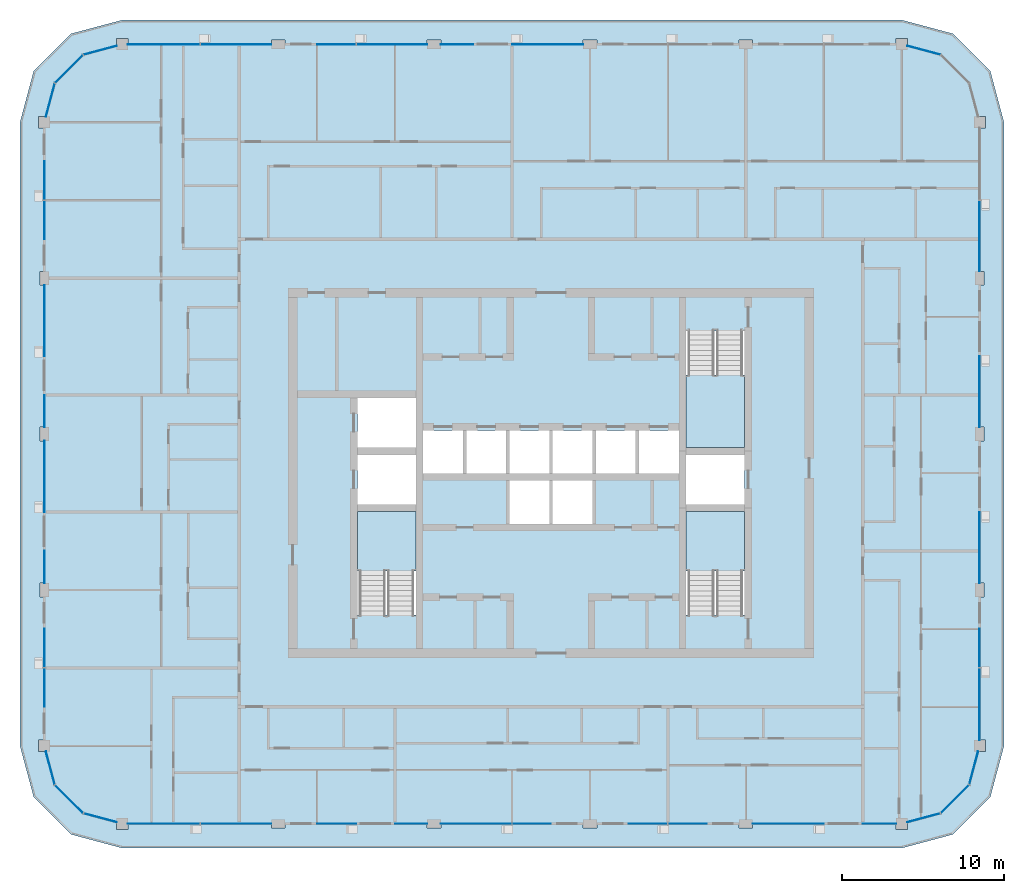
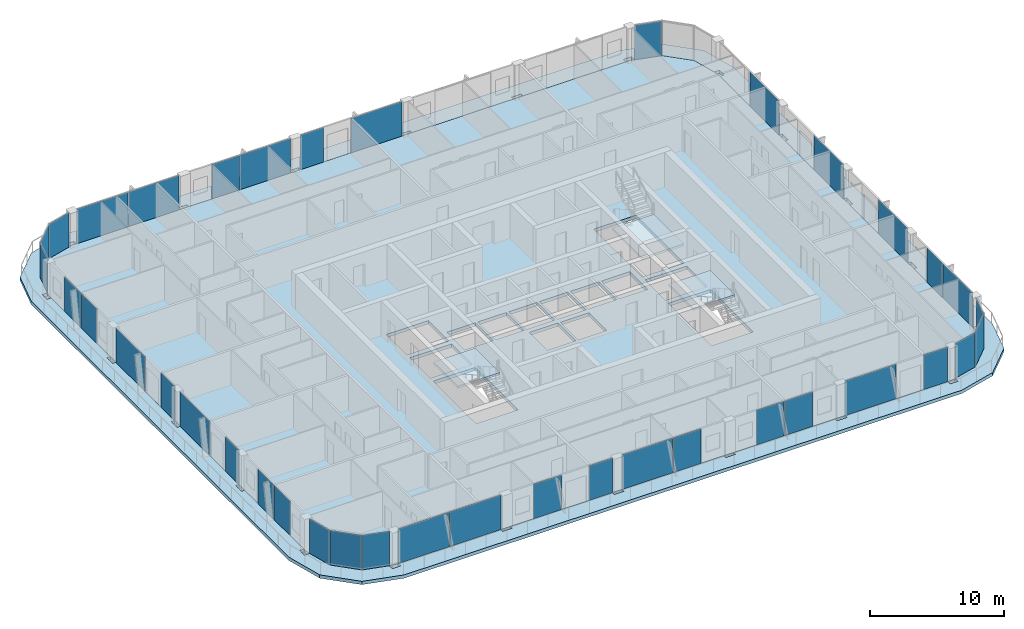
# One storey, part 7 of 22: 39 plates, 5 slabs, 23 elements without a shape of their own.
"""IFC4 building model written with IfcOpenShell, lengths in metres."""

from ifc_helpers import new_model, si_unit, direction, frame, origin, origin_2d, place, context, subcontext, project, spatial, polyline, rectangle, outline, extrude, material, layer, layer_set, type_object, element, aggregate, save


model = new_model("IFC4")

# Units and contexts
model_context = context("Model", 3, precision=1e-05, world=origin(), true_north=direction((0.0, 1.0)))
body_context = subcontext(model_context, "Body", "Model", "MODEL_VIEW")
ifc_project = project(units=[si_unit("LENGTHUNIT", "METRE"), si_unit("AREAUNIT", "SQUARE_METRE"), si_unit("VOLUMEUNIT", "CUBIC_METRE"), si_unit("PLANEANGLEUNIT", "RADIAN"), si_unit("MASSUNIT", "GRAM", prefix="KILO")], contexts=[model_context])

# Site, building, storey
site_placement = place(None, origin())
site = spatial("IfcSite", under=ifc_project, at=site_placement, CompositionType="ELEMENT")
building_placement = place(site_placement, origin())
building = spatial("IfcBuilding", under=site, at=building_placement, Name="Madar Terraces", CompositionType="ELEMENT")
storey_placement = place(building_placement, frame((0.0, 0.0, 249.199951171875)))
storey = spatial("IfcBuildingStorey", under=building, at=storey_placement, Name="L65", CompositionType="ELEMENT", Elevation=249.199951171875)

# Slabs
ifc_material_1 = material(Name="Concrete C50/60", Category="concrete")
ifc_layer_1 = layer(ifc_material_1, 0.300048828125)
ifc_layer_set_1 = layer_set([ifc_layer_1], Name="Balcony band 300")
slab_type_1 = type_object("IfcSlabType", Name="Balcony band 300", PredefinedType="FLOOR", material=ifc_layer_set_1)
slab_1_placement = place(storey_placement, frame((0.0, 0.0, -0.300048828125)))
element("IfcSlab", 1, at=slab_1_placement, inside=storey, type_object=slab_type_1, Name="Balcony band", PredefinedType="FLOOR", context=body_context, shape_type="SweptSolid", body=[
    extrude(outline(polyline([(4.800048828125, 3.300048828125), (1.64990234375, 4.14404296875), (-0.656005859375, 6.449951171875), (-1.5, 9.60009765625), (-1.5, 48.0), (-0.656005859375, 51.14990234375), (1.64990234375, 53.4560546875), (4.800048828125, 54.300048828125), (52.800048828125, 54.300048828125), (55.949951171875, 53.4560546875), (58.256103515625, 51.14990234375), (59.10009765625, 48.0), (59.10009765625, 9.60009765625), (58.256103515625, 6.449951171875), (55.949951171875, 4.14404296875), (52.800048828125, 3.300048828125), (4.800048828125, 3.300048828125)]), holes=[polyline([(5.14990234375, 4.449951171875), (5.14990234375, 4.800048828125), (13.97509765625, 4.800048828125), (13.97509765625, 4.52490234375), (14.824951171875, 4.52490234375), (14.824951171875, 4.800048828125), (23.574951171875, 4.800048828125), (23.574951171875, 4.52490234375), (24.425048828125, 4.52490234375), (24.425048828125, 4.800048828125), (33.175048828125, 4.800048828125), (33.175048828125, 4.52490234375), (34.02490234375, 4.52490234375), (34.02490234375, 4.800048828125), (42.77490234375, 4.800048828125), (42.77490234375, 4.52490234375), (43.625, 4.52490234375), (43.625, 4.800048828125), (52.449951171875, 4.800048828125), (52.449951171875, 4.449951171875), (53.14990234375, 4.449951171875), (53.14990234375, 4.893798828125), (55.199951171875, 5.443115234375), (56.956787109375, 7.199951171875), (57.506103515625, 9.25), (57.949951171875, 9.25), (57.949951171875, 9.949951171875), (57.60009765625, 9.949951171875), (57.60009765625, 18.77490234375), (57.875, 18.77490234375), (57.875, 19.625), (57.60009765625, 19.625), (57.60009765625, 28.375), (57.875, 28.375), (57.875, 29.22509765625), (57.60009765625, 29.22509765625), (57.60009765625, 37.97509765625), (57.875, 37.97509765625), (57.875, 38.824951171875), (57.60009765625, 38.824951171875), (57.60009765625, 47.64990234375), (57.949951171875, 47.64990234375), (57.949951171875, 48.35009765625), (57.506103515625, 48.35009765625), (56.956787109375, 50.39990234375), (55.199951171875, 52.156982421875), (53.14990234375, 52.706298828125), (53.14990234375, 53.14990234375), (52.449951171875, 53.14990234375), (52.449951171875, 52.800048828125), (43.625, 52.800048828125), (43.625, 53.074951171875), (42.77490234375, 53.074951171875), (42.77490234375, 52.800048828125), (34.02490234375, 52.800048828125), (34.02490234375, 53.074951171875), (33.175048828125, 53.074951171875), (33.175048828125, 52.800048828125), (24.425048828125, 52.800048828125), (24.425048828125, 53.074951171875), (23.574951171875, 53.074951171875), (23.574951171875, 52.800048828125), (14.824951171875, 52.800048828125), (14.824951171875, 53.074951171875), (13.97509765625, 53.074951171875), (13.97509765625, 52.800048828125), (5.14990234375, 52.800048828125), (5.14990234375, 53.14990234375), (4.449951171875, 53.14990234375), (4.449951171875, 52.706298828125), (2.39990234375, 52.156982421875), (0.64306640625, 50.39990234375), (0.09375, 48.35009765625), (-0.35009765625, 48.35009765625), (-0.35009765625, 47.64990234375), (0.0, 47.64990234375), (0.0, 38.824951171875), (-0.27490234375, 38.824951171875), (-0.27490234375, 37.97509765625), (0.0, 37.97509765625), (0.0, 29.22509765625), (-0.27490234375, 29.22509765625), (-0.27490234375, 28.375), (0.0, 28.375), (0.0, 19.625), (-0.27490234375, 19.625), (-0.27490234375, 18.77490234375), (0.0, 18.77490234375), (0.0, 9.949951171875), (-0.35009765625, 9.949951171875), (-0.35009765625, 9.25), (0.09375, 9.25), (0.64306640625, 7.199951171875), (2.39990234375, 5.443115234375), (4.449951171875, 4.893798828125), (4.449951171875, 4.449951171875), (5.14990234375, 4.449951171875)])]), origin(), (0.0, 0.0, 1.0), 0.300048828125),
])
ifc_material_2 = material(Name="Concrete C50/60", Category="concrete")
ifc_layer_2 = layer(ifc_material_2, 0.300048828125)
ifc_layer_set_2 = layer_set([ifc_layer_2], Name="FS2 PT flat slab 300")
slab_type_2 = type_object("IfcSlabType", Name="FS2 PT flat slab 300", PredefinedType="FLOOR", material=ifc_layer_set_2)
slab_2_placement = place(storey_placement, frame((0.0, 0.0, -0.300048828125)))
element("IfcSlab", 2, at=slab_2_placement, inside=storey, type_object=slab_type_2, Name="Floor slab L65 (1)", PredefinedType="FLOOR", context=body_context, shape_type="SweptSolid", body=[
    extrude(outline(polyline([(52.800048828125, 4.800048828125), (55.199951171875, 5.443115234375), (56.95703125, 7.199951171875), (57.60009765625, 9.60009765625), (57.60009765625, 48.0), (56.95703125, 50.39990234375), (55.199951171875, 52.156982421875), (52.800048828125, 52.800048828125), (4.800048828125, 52.800048828125), (2.39990234375, 52.156982421875), (0.64306640625, 50.39990234375), (0.0, 48.0), (0.0, 9.60009765625), (0.64306640625, 7.199951171875), (2.39990234375, 5.443115234375), (4.800048828125, 4.800048828125), (52.800048828125, 4.800048828125)]), holes=[polyline([(22.875, 17.64990234375), (19.27490234375, 17.64990234375), (19.27490234375, 24.02490234375), (22.875, 24.02490234375), (22.875, 17.64990234375)]), polyline([(28.6416015625, 23.27490234375), (28.6416015625, 25.925048828125), (31.10009765625, 25.925048828125), (31.10009765625, 23.27490234375), (28.6416015625, 23.27490234375)]), polyline([(19.27490234375, 24.47509765625), (19.27490234375, 27.52490234375), (22.875, 27.52490234375), (22.875, 24.47509765625), (19.27490234375, 24.47509765625)]), polyline([(23.324951171875, 26.375), (23.324951171875, 29.02490234375), (25.783447265625, 29.02490234375), (25.783447265625, 26.375), (23.324951171875, 26.375)]), polyline([(25.9833984375, 26.375), (25.9833984375, 29.02490234375), (28.441650390625, 29.02490234375), (28.441650390625, 26.375), (25.9833984375, 26.375)]), polyline([(28.6416015625, 26.375), (28.6416015625, 29.02490234375), (31.10009765625, 29.02490234375), (31.10009765625, 26.375), (28.6416015625, 26.375)]), polyline([(19.27490234375, 27.97509765625), (19.27490234375, 31.02490234375), (22.875, 31.02490234375), (22.875, 27.97509765625), (19.27490234375, 27.97509765625)]), polyline([(43.125, 17.64990234375), (39.52490234375, 17.64990234375), (39.52490234375, 24.02490234375), (43.125, 24.02490234375), (43.125, 17.64990234375)]), polyline([(31.300048828125, 23.27490234375), (31.300048828125, 25.925048828125), (33.75830078125, 25.925048828125), (33.75830078125, 23.27490234375), (31.300048828125, 23.27490234375)]), polyline([(39.52490234375, 24.47509765625), (39.52490234375, 27.52490234375), (43.125, 27.52490234375), (43.125, 24.47509765625), (39.52490234375, 24.47509765625)]), polyline([(31.300048828125, 26.375), (31.300048828125, 29.02490234375), (33.75830078125, 29.02490234375), (33.75830078125, 26.375), (31.300048828125, 26.375)]), polyline([(33.958251953125, 26.375), (33.958251953125, 29.02490234375), (36.416748046875, 29.02490234375), (36.416748046875, 26.375), (33.958251953125, 26.375)]), polyline([(36.61669921875, 26.375), (36.61669921875, 29.02490234375), (39.074951171875, 29.02490234375), (39.074951171875, 26.375), (36.61669921875, 26.375)]), polyline([(39.52490234375, 27.97509765625), (39.52490234375, 35.14990234375), (43.125, 35.14990234375), (43.125, 27.97509765625), (39.52490234375, 27.97509765625)])]), origin(), (0.0, 0.0, 1.0), 0.300048828125),
])

# Curtain wall, plates
ifc_material_3 = material(Name="Glass, ceramic frit dark grey, with black aluminium frame", Category="aluminium")
ifc_layer_3 = layer(ifc_material_3, 0.199951171875)
ifc_layer_set_3 = layer_set([ifc_layer_3], Name="Facade curtain wall, fritted glass")
curtain_wall_type = type_object("IfcCurtainWallType", Name="Facade curtain wall, fritted glass", PredefinedType="NOTDEFINED", material=ifc_layer_set_3)
curtain_wall_1_placement = place(storey_placement, origin())
curtain_wall_1 = element("IfcCurtainWall", 3, at=curtain_wall_1_placement, inside=storey, type_object=curtain_wall_type, Name="Outer skin curtain wall south bay 1", PredefinedType="NOTDEFINED")
ifc_material_4 = material(Name="Glass, ceramic frit dark grey", Category="glass")
ifc_layer_4 = layer(ifc_material_4, 0.028076171875)
ifc_layer_set_4 = layer_set([ifc_layer_4], Name="Facade glass panel 28")
plate_type = type_object("IfcPlateType", Name="Facade glass panel 28", PredefinedType="CURTAIN_PANEL", material=ifc_layer_set_4)
plate_1_placement = place(storey_placement, frame((7.360107421875, 4.800048828125, 0.0), z_axis=(0.0, 0.0, 1.0), x_axis=(1.0, 0.0, 0.0)))
plate_1 = element("IfcPlate", 4, at=plate_1_placement, type_object=plate_type, Name="Panel 1", PredefinedType="CURTAIN_PANEL", context=body_context, shape_type="SweptSolid", body=[
    extrude(rectangle(XDim=4.419921875, YDim=0.028076171875, at=origin_2d()), origin(), (0.0, 0.0, 1.0), 3.139892578125),
])
plate_2_placement = place(storey_placement, frame((11.802490234375, 4.800048828125, 0.0), z_axis=(0.0, 0.0, 1.0), x_axis=(1.0, 0.0, 0.0)))
plate_2 = element("IfcPlate", 5, at=plate_2_placement, type_object=plate_type, Name="Panel 2", PredefinedType="CURTAIN_PANEL", context=body_context, shape_type="SweptSolid", body=[
    extrude(rectangle(XDim=4.344970703125, YDim=0.028076171875, at=origin_2d()), origin(), (0.0, 0.0, 1.0), 3.139892578125),
])
aggregate(curtain_wall_1, [plate_1, plate_2])

curtain_wall_2_placement = place(storey_placement, origin())
curtain_wall_2 = element("IfcCurtainWall", 6, at=curtain_wall_2_placement, inside=storey, type_object=curtain_wall_type, Name="Outer skin curtain wall south bay 2", PredefinedType="NOTDEFINED")
plate_3_placement = place(storey_placement, frame((18.0, 4.800048828125, 0.0), z_axis=(0.0, 0.0, 1.0), x_axis=(1.0, 0.0, 0.0)))
plate_3 = element("IfcPlate", 7, at=plate_3_placement, type_object=plate_type, Name="Panel 1", PredefinedType="CURTAIN_PANEL", context=body_context, shape_type="SweptSolid", body=[
    extrude(rectangle(XDim=2.39990234375, YDim=0.028076171875, at=origin_2d()), origin(), (0.0, 0.0, 1.0), 3.139892578125),
])
plate_4_placement = place(storey_placement, frame((22.58740234375, 4.800048828125, 0.0), z_axis=(0.0, 0.0, 1.0), x_axis=(1.0, 0.0, 0.0)))
plate_4 = element("IfcPlate", 8, at=plate_4_placement, type_object=plate_type, Name="Panel 2", PredefinedType="CURTAIN_PANEL", context=body_context, shape_type="SweptSolid", body=[
    extrude(rectangle(XDim=1.97509765625, YDim=0.028076171875, at=origin_2d()), origin(), (0.0, 0.0, 1.0), 3.139892578125),
])
aggregate(curtain_wall_2, [plate_3, plate_4])

curtain_wall_3_placement = place(storey_placement, origin())
curtain_wall_3 = element("IfcCurtainWall", 9, at=curtain_wall_3_placement, inside=storey, type_object=curtain_wall_type, Name="Outer skin curtain wall south bay 3", PredefinedType="NOTDEFINED")
plate_5_placement = place(storey_placement, frame((26.597412109375, 4.800048828125, 0.0), z_axis=(0.0, 0.0, 1.0), x_axis=(1.0, 0.0, 0.0)))
plate_5 = element("IfcPlate", 10, at=plate_5_placement, type_object=plate_type, Name="Panel 1", PredefinedType="CURTAIN_PANEL", context=body_context, shape_type="SweptSolid", body=[
    extrude(rectangle(XDim=4.344970703125, YDim=0.028076171875, at=origin_2d()), origin(), (0.0, 0.0, 1.0), 3.139892578125),
])
plate_6_placement = place(storey_placement, frame((30.014892578125, 4.800048828125, 0.0), z_axis=(0.0, 0.0, 1.0), x_axis=(1.0, 0.0, 0.0)))
plate_6 = element("IfcPlate", 11, at=plate_6_placement, type_object=plate_type, Name="Panel 2", PredefinedType="CURTAIN_PANEL", context=body_context, shape_type="SweptSolid", body=[
    extrude(rectangle(XDim=2.3701171875, YDim=0.028076171875, at=origin_2d()), origin(), (0.0, 0.0, 1.0), 3.139892578125),
])
aggregate(curtain_wall_3, [plate_5, plate_6])

curtain_wall_4_placement = place(storey_placement, origin())
curtain_wall_4 = element("IfcCurtainWall", 12, at=curtain_wall_4_placement, inside=storey, type_object=curtain_wall_type, Name="Outer skin curtain wall south bay 4", PredefinedType="NOTDEFINED")
plate_7_placement = place(storey_placement, frame((37.18505859375, 4.800048828125, 0.0), z_axis=(0.0, 0.0, 1.0), x_axis=(1.0, 0.0, 0.0)))
plate_7 = element("IfcPlate", 13, at=plate_7_placement, type_object=plate_type, Name="Panel 1", PredefinedType="CURTAIN_PANEL", context=body_context, shape_type="SweptSolid", body=[
    extrude(rectangle(XDim=2.3701171875, YDim=0.028076171875, at=origin_2d()), origin(), (0.0, 0.0, 1.0), 3.139892578125),
])
plate_8_placement = place(storey_placement, frame((39.614990234375, 4.800048828125, 0.0), z_axis=(0.0, 0.0, 1.0), x_axis=(1.0, 0.0, 0.0)))
plate_8 = element("IfcPlate", 14, at=plate_8_placement, type_object=plate_type, Name="Panel 2", PredefinedType="CURTAIN_PANEL", context=body_context, shape_type="SweptSolid", body=[
    extrude(rectangle(XDim=2.3701171875, YDim=0.028076171875, at=origin_2d()), origin(), (0.0, 0.0, 1.0), 3.139892578125),
])
aggregate(curtain_wall_4, [plate_7, plate_8])

curtain_wall_5_placement = place(storey_placement, origin())
curtain_wall_5 = element("IfcCurtainWall", 15, at=curtain_wall_5_placement, inside=storey, type_object=curtain_wall_type, Name="Outer skin curtain wall south bay 5", PredefinedType="NOTDEFINED")
plate_9_placement = place(storey_placement, frame((45.8125, 4.800048828125, 0.0), z_axis=(0.0, 0.0, 1.0), x_axis=(1.0, 0.0, 0.0)))
plate_9 = element("IfcPlate", 16, at=plate_9_placement, type_object=plate_type, Name="Panel 1", PredefinedType="CURTAIN_PANEL", context=body_context, shape_type="SweptSolid", body=[
    extrude(rectangle(XDim=4.375, YDim=0.028076171875, at=origin_2d()), origin(), (0.0, 0.0, 1.0), 3.139892578125),
])
plate_10_placement = place(storey_placement, frame((51.425048828125, 4.800048828125, 0.0), z_axis=(0.0, 0.0, 1.0), x_axis=(1.0, 0.0, 0.0)))
plate_10 = element("IfcPlate", 17, at=plate_10_placement, type_object=plate_type, Name="Panel 2", PredefinedType="CURTAIN_PANEL", context=body_context, shape_type="SweptSolid", body=[
    extrude(rectangle(XDim=2.050048828125, YDim=0.028076171875, at=origin_2d()), origin(), (0.0, 0.0, 1.0), 3.139892578125),
])
aggregate(curtain_wall_5, [plate_9, plate_10])

curtain_wall_6_placement = place(storey_placement, origin())
curtain_wall_6 = element("IfcCurtainWall", 18, at=curtain_wall_6_placement, inside=storey, type_object=curtain_wall_type, Name="Outer skin curtain wall east bay 1", PredefinedType="NOTDEFINED")
plate_11_placement = place(storey_placement, frame((57.60009765625, 12.159912109375, 0.0), z_axis=(0.0, 0.0, 1.0), x_axis=(0.0, 1.0, 0.0)))
plate_11 = element("IfcPlate", 19, at=plate_11_placement, type_object=plate_type, Name="Panel 1", PredefinedType="CURTAIN_PANEL", context=body_context, shape_type="SweptSolid", body=[
    extrude(rectangle(XDim=4.419921875, YDim=0.028076171875, at=origin_2d()), origin(), (0.0, 0.0, 1.0), 3.139892578125),
])
plate_12_placement = place(storey_placement, frame((57.60009765625, 15.614990234375, 0.0), z_axis=(0.0, 0.0, 1.0), x_axis=(0.0, 1.0, 0.0)))
plate_12 = element("IfcPlate", 20, at=plate_12_placement, type_object=plate_type, Name="Panel 2", PredefinedType="CURTAIN_PANEL", context=body_context, shape_type="SweptSolid", body=[
    extrude(rectangle(XDim=2.3701171875, YDim=0.028076171875, at=origin_2d()), origin(), (0.0, 0.0, 1.0), 3.139892578125),
])
aggregate(curtain_wall_6, [plate_11, plate_12])

# Curtain wall, plate
curtain_wall_7_placement = place(storey_placement, origin())
curtain_wall_7 = element("IfcCurtainWall", 21, at=curtain_wall_7_placement, inside=storey, type_object=curtain_wall_type, Name="Outer skin curtain wall east bay 2", PredefinedType="NOTDEFINED")
plate_13_placement = place(storey_placement, frame((57.60009765625, 21.8125, 0.0), z_axis=(0.0, 0.0, 1.0), x_axis=(0.0, 1.0, 0.0)))
plate_13 = element("IfcPlate", 22, at=plate_13_placement, type_object=plate_type, Name="Panel 1", PredefinedType="CURTAIN_PANEL", context=body_context, shape_type="SweptSolid", body=[
    extrude(rectangle(XDim=4.375, YDim=0.028076171875, at=origin_2d()), origin(), (0.0, 0.0, 1.0), 3.139892578125),
])
aggregate(curtain_wall_7, [plate_13])

curtain_wall_8_placement = place(storey_placement, origin())
curtain_wall_8 = element("IfcCurtainWall", 23, at=curtain_wall_8_placement, inside=storey, type_object=curtain_wall_type, Name="Outer skin curtain wall east bay 3", PredefinedType="NOTDEFINED")
plate_14_placement = place(storey_placement, frame((57.60009765625, 31.41259765625, 0.0), z_axis=(0.0, 0.0, 1.0), x_axis=(0.0, 1.0, 0.0)))
plate_14 = element("IfcPlate", 24, at=plate_14_placement, type_object=plate_type, Name="Panel 1", PredefinedType="CURTAIN_PANEL", context=body_context, shape_type="SweptSolid", body=[
    extrude(rectangle(XDim=4.375, YDim=0.028076171875, at=origin_2d()), origin(), (0.0, 0.0, 1.0), 3.139892578125),
])
aggregate(curtain_wall_8, [plate_14])

curtain_wall_9_placement = place(storey_placement, origin())
curtain_wall_9 = element("IfcCurtainWall", 25, at=curtain_wall_9_placement, inside=storey, type_object=curtain_wall_type, Name="Outer skin curtain wall east bay 4", PredefinedType="NOTDEFINED")
plate_15_placement = place(storey_placement, frame((57.60009765625, 40.99755859375, 0.0), z_axis=(0.0, 0.0, 1.0), x_axis=(0.0, 1.0, 0.0)))
plate_15 = element("IfcPlate", 26, at=plate_15_placement, type_object=plate_type, Name="Panel 1", PredefinedType="CURTAIN_PANEL", context=body_context, shape_type="SweptSolid", body=[
    extrude(rectangle(XDim=4.344970703125, YDim=0.028076171875, at=origin_2d()), origin(), (0.0, 0.0, 1.0), 3.139892578125),
])
aggregate(curtain_wall_9, [plate_15])

# Curtain wall, plates
curtain_wall_10_placement = place(storey_placement, origin())
curtain_wall_10 = element("IfcCurtainWall", 27, at=curtain_wall_10_placement, inside=storey, type_object=curtain_wall_type, Name="Outer skin curtain wall north bay 3", PredefinedType="NOTDEFINED")
plate_16_placement = place(storey_placement, frame((30.987548828125, 52.800048828125, 0.0), z_axis=(0.0, 0.0, 1.0), x_axis=(-1.0, 0.0, 0.0)))
plate_16 = element("IfcPlate", 28, at=plate_16_placement, type_object=plate_type, Name="Panel 1", PredefinedType="CURTAIN_PANEL", context=body_context, shape_type="SweptSolid", body=[
    extrude(rectangle(XDim=4.375, YDim=0.028076171875, at=origin_2d()), origin(), (0.0, 0.0, 1.0), 3.139892578125),
])
plate_17_placement = place(storey_placement, frame((25.41259765625, 52.800048828125, 0.0), z_axis=(0.0, 0.0, 1.0), x_axis=(-1.0, 0.0, 0.0)))
plate_17 = element("IfcPlate", 29, at=plate_17_placement, type_object=plate_type, Name="Panel 2", PredefinedType="CURTAIN_PANEL", context=body_context, shape_type="SweptSolid", body=[
    extrude(rectangle(XDim=1.97509765625, YDim=0.028076171875, at=origin_2d()), origin(), (0.0, 0.0, 1.0), 3.139892578125),
])
aggregate(curtain_wall_10, [plate_16, plate_17])

curtain_wall_11_placement = place(storey_placement, origin())
curtain_wall_11 = element("IfcCurtainWall", 30, at=curtain_wall_11_placement, inside=storey, type_object=curtain_wall_type, Name="Outer skin curtain wall north bay 4", PredefinedType="NOTDEFINED")
plate_18_placement = place(storey_placement, frame((21.402587890625, 52.800048828125, 0.0), z_axis=(0.0, 0.0, 1.0), x_axis=(-1.0, 0.0, 0.0)))
plate_18 = element("IfcPlate", 31, at=plate_18_placement, type_object=plate_type, Name="Panel 1", PredefinedType="CURTAIN_PANEL", context=body_context, shape_type="SweptSolid", body=[
    extrude(rectangle(XDim=4.344970703125, YDim=0.028076171875, at=origin_2d()), origin(), (0.0, 0.0, 1.0), 3.139892578125),
])
plate_19_placement = place(storey_placement, frame((17.985107421875, 52.800048828125, 0.0), z_axis=(0.0, 0.0, 1.0), x_axis=(-1.0, 0.0, 0.0)))
plate_19 = element("IfcPlate", 32, at=plate_19_placement, type_object=plate_type, Name="Panel 2", PredefinedType="CURTAIN_PANEL", context=body_context, shape_type="SweptSolid", body=[
    extrude(rectangle(XDim=2.3701171875, YDim=0.028076171875, at=origin_2d()), origin(), (0.0, 0.0, 1.0), 3.139892578125),
])
aggregate(curtain_wall_11, [plate_18, plate_19])

curtain_wall_12_placement = place(storey_placement, origin())
curtain_wall_12 = element("IfcCurtainWall", 33, at=curtain_wall_12_placement, inside=storey, type_object=curtain_wall_type, Name="Outer skin curtain wall north bay 5", PredefinedType="NOTDEFINED")
plate_20_placement = place(storey_placement, frame((11.802490234375, 52.800048828125, 0.0), z_axis=(0.0, 0.0, 1.0), x_axis=(-1.0, 0.0, 0.0)))
plate_20 = element("IfcPlate", 34, at=plate_20_placement, type_object=plate_type, Name="Panel 1", PredefinedType="CURTAIN_PANEL", context=body_context, shape_type="SweptSolid", body=[
    extrude(rectangle(XDim=4.344970703125, YDim=0.028076171875, at=origin_2d()), origin(), (0.0, 0.0, 1.0), 3.139892578125),
])
plate_21_placement = place(storey_placement, frame((7.360107421875, 52.800048828125, 0.0), z_axis=(0.0, 0.0, 1.0), x_axis=(-1.0, 0.0, 0.0)))
plate_21 = element("IfcPlate", 35, at=plate_21_placement, type_object=plate_type, Name="Panel 2", PredefinedType="CURTAIN_PANEL", context=body_context, shape_type="SweptSolid", body=[
    extrude(rectangle(XDim=4.419921875, YDim=0.028076171875, at=origin_2d()), origin(), (0.0, 0.0, 1.0), 3.139892578125),
])
aggregate(curtain_wall_12, [plate_20, plate_21])

curtain_wall_13_placement = place(storey_placement, origin())
curtain_wall_13 = element("IfcCurtainWall", 36, at=curtain_wall_13_placement, inside=storey, type_object=curtain_wall_type, Name="Outer skin curtain wall west bay 1", PredefinedType="NOTDEFINED")
plate_22_placement = place(storey_placement, frame((0.0, 44.4150390625, 0.0), z_axis=(0.0, 0.0, 1.0), x_axis=(0.0, -1.0, 0.0)))
plate_22 = element("IfcPlate", 37, at=plate_22_placement, type_object=plate_type, Name="Panel 1", PredefinedType="CURTAIN_PANEL", context=body_context, shape_type="SweptSolid", body=[
    extrude(rectangle(XDim=2.3701171875, YDim=0.028076171875, at=origin_2d()), origin(), (0.0, 0.0, 1.0), 3.139892578125),
])
plate_23_placement = place(storey_placement, frame((0.0, 41.985107421875, 0.0), z_axis=(0.0, 0.0, 1.0), x_axis=(0.0, -1.0, 0.0)))
plate_23 = element("IfcPlate", 38, at=plate_23_placement, type_object=plate_type, Name="Panel 2", PredefinedType="CURTAIN_PANEL", context=body_context, shape_type="SweptSolid", body=[
    extrude(rectangle(XDim=2.3701171875, YDim=0.028076171875, at=origin_2d()), origin(), (0.0, 0.0, 1.0), 3.139892578125),
])
aggregate(curtain_wall_13, [plate_22, plate_23])

curtain_wall_14_placement = place(storey_placement, origin())
curtain_wall_14 = element("IfcCurtainWall", 39, at=curtain_wall_14_placement, inside=storey, type_object=curtain_wall_type, Name="Outer skin curtain wall west bay 2", PredefinedType="NOTDEFINED")
plate_24_placement = place(storey_placement, frame((0.0, 35.78759765625, 0.0), z_axis=(0.0, 0.0, 1.0), x_axis=(0.0, -1.0, 0.0)))
plate_24 = element("IfcPlate", 40, at=plate_24_placement, type_object=plate_type, Name="Panel 1", PredefinedType="CURTAIN_PANEL", context=body_context, shape_type="SweptSolid", body=[
    extrude(rectangle(XDim=4.375, YDim=0.028076171875, at=origin_2d()), origin(), (0.0, 0.0, 1.0), 3.139892578125),
])
plate_25_placement = place(storey_placement, frame((0.0, 30.21240234375, 0.0), z_axis=(0.0, 0.0, 1.0), x_axis=(0.0, -1.0, 0.0)))
plate_25 = element("IfcPlate", 41, at=plate_25_placement, type_object=plate_type, Name="Panel 2", PredefinedType="CURTAIN_PANEL", context=body_context, shape_type="SweptSolid", body=[
    extrude(rectangle(XDim=1.97509765625, YDim=0.028076171875, at=origin_2d()), origin(), (0.0, 0.0, 1.0), 3.139892578125),
])
aggregate(curtain_wall_14, [plate_24, plate_25])

curtain_wall_15_placement = place(storey_placement, origin())
curtain_wall_15 = element("IfcCurtainWall", 42, at=curtain_wall_15_placement, inside=storey, type_object=curtain_wall_type, Name="Outer skin curtain wall west bay 3", PredefinedType="NOTDEFINED")
plate_26_placement = place(storey_placement, frame((0.0, 26.1875, 0.0), z_axis=(0.0, 0.0, 1.0), x_axis=(0.0, -1.0, 0.0)))
plate_26 = element("IfcPlate", 43, at=plate_26_placement, type_object=plate_type, Name="Panel 1", PredefinedType="CURTAIN_PANEL", context=body_context, shape_type="SweptSolid", body=[
    extrude(rectangle(XDim=4.375, YDim=0.028076171875, at=origin_2d()), origin(), (0.0, 0.0, 1.0), 3.139892578125),
])
plate_27_placement = place(storey_placement, frame((0.0, 20.612548828125, 0.0), z_axis=(0.0, 0.0, 1.0), x_axis=(0.0, -1.0, 0.0)))
plate_27 = element("IfcPlate", 44, at=plate_27_placement, type_object=plate_type, Name="Panel 2", PredefinedType="CURTAIN_PANEL", context=body_context, shape_type="SweptSolid", body=[
    extrude(rectangle(XDim=1.97509765625, YDim=0.028076171875, at=origin_2d()), origin(), (0.0, 0.0, 1.0), 3.139892578125),
])
aggregate(curtain_wall_15, [plate_26, plate_27])

curtain_wall_16_placement = place(storey_placement, origin())
curtain_wall_16 = element("IfcCurtainWall", 45, at=curtain_wall_16_placement, inside=storey, type_object=curtain_wall_type, Name="Outer skin curtain wall west bay 4", PredefinedType="NOTDEFINED")
plate_28_placement = place(storey_placement, frame((0.0, 15.614990234375, 0.0), z_axis=(0.0, 0.0, 1.0), x_axis=(0.0, -1.0, 0.0)))
plate_28 = element("IfcPlate", 46, at=plate_28_placement, type_object=plate_type, Name="Panel 1", PredefinedType="CURTAIN_PANEL", context=body_context, shape_type="SweptSolid", body=[
    extrude(rectangle(XDim=2.3701171875, YDim=0.028076171875, at=origin_2d()), origin(), (0.0, 0.0, 1.0), 3.139892578125),
])
plate_29_placement = place(storey_placement, frame((0.0, 13.18505859375, 0.0), z_axis=(0.0, 0.0, 1.0), x_axis=(0.0, -1.0, 0.0)))
plate_29 = element("IfcPlate", 47, at=plate_29_placement, type_object=plate_type, Name="Panel 2", PredefinedType="CURTAIN_PANEL", context=body_context, shape_type="SweptSolid", body=[
    extrude(rectangle(XDim=2.3701171875, YDim=0.028076171875, at=origin_2d()), origin(), (0.0, 0.0, 1.0), 3.139892578125),
])
aggregate(curtain_wall_16, [plate_28, plate_29])

curtain_wall_17_placement = place(storey_placement, origin())
curtain_wall_17 = element("IfcCurtainWall", 48, at=curtain_wall_17_placement, inside=storey, type_object=curtain_wall_type, Name="Outer skin curtain wall south-east corner", PredefinedType="NOTDEFINED")
plate_30_placement = place(storey_placement, frame((54.160400390625, 5.16455078125, 0.0), z_axis=(0.0, 0.0, 1.0), x_axis=(0.965925832509, 0.258819021888, 0.0)))
plate_30 = element("IfcPlate", 49, at=plate_30_placement, type_object=plate_type, Name="Panel 1", PredefinedType="CURTAIN_PANEL", context=body_context, shape_type="SweptSolid", body=[
    extrude(rectangle(XDim=2.09228515625, YDim=0.028076171875, at=origin_2d()), origin(), (0.0, 0.0, 1.0), 3.139892578125),
])
plate_31_placement = place(storey_placement, frame((56.078369140625, 6.321533203125, 0.0), z_axis=(0.0, 0.0, 1.0), x_axis=(0.707106781187, 0.707106781187, 0.0)))
plate_31 = element("IfcPlate", 50, at=plate_31_placement, type_object=plate_type, Name="Panel 2", PredefinedType="CURTAIN_PANEL", context=body_context, shape_type="SweptSolid", body=[
    extrude(rectangle(XDim=2.424560546875, YDim=0.028076171875, at=origin_2d()), origin(), (0.0, 0.0, 1.0), 3.139892578125),
])
plate_32_placement = place(storey_placement, frame((57.2353515625, 8.239501953125, 0.0), z_axis=(0.0, 0.0, 1.0), x_axis=(0.258819021888, 0.965925832509, 0.0)))
plate_32 = element("IfcPlate", 51, at=plate_32_placement, type_object=plate_type, Name="Panel 3", PredefinedType="CURTAIN_PANEL", context=body_context, shape_type="SweptSolid", body=[
    extrude(rectangle(XDim=2.09228515625, YDim=0.028076171875, at=origin_2d()), origin(), (0.0, 0.0, 1.0), 3.139892578125),
])
aggregate(curtain_wall_17, [plate_30, plate_31, plate_32])

# Curtain wall, plate
curtain_wall_18_placement = place(storey_placement, origin())
curtain_wall_18 = element("IfcCurtainWall", 52, at=curtain_wall_18_placement, inside=storey, type_object=curtain_wall_type, Name="Outer skin curtain wall north-east corner", PredefinedType="NOTDEFINED")
plate_33_placement = place(storey_placement, frame((54.160400390625, 52.435546875, 0.0), z_axis=(0.0, 0.0, 1.0), x_axis=(-0.965925832509, 0.258819021888, 0.0)))
plate_33 = element("IfcPlate", 53, at=plate_33_placement, type_object=plate_type, Name="Panel 3", PredefinedType="CURTAIN_PANEL", context=body_context, shape_type="SweptSolid", body=[
    extrude(rectangle(XDim=2.09228515625, YDim=0.028076171875, at=origin_2d()), origin(), (0.0, 0.0, 1.0), 3.139892578125),
])
aggregate(curtain_wall_18, [plate_33])

# Curtain wall, plates
curtain_wall_19_placement = place(storey_placement, origin())
curtain_wall_19 = element("IfcCurtainWall", 54, at=curtain_wall_19_placement, inside=storey, type_object=curtain_wall_type, Name="Outer skin curtain wall north-west corner", PredefinedType="NOTDEFINED")
plate_34_placement = place(storey_placement, frame((3.439453125, 52.435546875, 0.0), z_axis=(0.0, 0.0, 1.0), x_axis=(-0.965925832509, -0.258819021888, 0.0)))
plate_34 = element("IfcPlate", 55, at=plate_34_placement, type_object=plate_type, Name="Panel 1", PredefinedType="CURTAIN_PANEL", context=body_context, shape_type="SweptSolid", body=[
    extrude(rectangle(XDim=2.09228515625, YDim=0.028076171875, at=origin_2d()), origin(), (0.0, 0.0, 1.0), 3.139892578125),
])
plate_35_placement = place(storey_placement, frame((1.521484375, 51.278564453125, 0.0), z_axis=(0.0, 0.0, 1.0), x_axis=(-0.707106781187, -0.707106781187, 0.0)))
plate_35 = element("IfcPlate", 56, at=plate_35_placement, type_object=plate_type, Name="Panel 2", PredefinedType="CURTAIN_PANEL", context=body_context, shape_type="SweptSolid", body=[
    extrude(rectangle(XDim=2.424560546875, YDim=0.028076171875, at=origin_2d()), origin(), (0.0, 0.0, 1.0), 3.139892578125),
])
plate_36_placement = place(storey_placement, frame((0.364501953125, 49.360595703125, 0.0), z_axis=(0.0, 0.0, 1.0), x_axis=(-0.258819021888, -0.965925832509, 0.0)))
plate_36 = element("IfcPlate", 57, at=plate_36_placement, type_object=plate_type, Name="Panel 3", PredefinedType="CURTAIN_PANEL", context=body_context, shape_type="SweptSolid", body=[
    extrude(rectangle(XDim=2.09228515625, YDim=0.028076171875, at=origin_2d()), origin(), (0.0, 0.0, 1.0), 3.139892578125),
])
aggregate(curtain_wall_19, [plate_34, plate_35, plate_36])

curtain_wall_20_placement = place(storey_placement, origin())
curtain_wall_20 = element("IfcCurtainWall", 58, at=curtain_wall_20_placement, inside=storey, type_object=curtain_wall_type, Name="Outer skin curtain wall south-west corner", PredefinedType="NOTDEFINED")
plate_37_placement = place(storey_placement, frame((0.364501953125, 8.239501953125, 0.0), z_axis=(0.0, 0.0, 1.0), x_axis=(0.258819021888, -0.965925832509, 0.0)))
plate_37 = element("IfcPlate", 59, at=plate_37_placement, type_object=plate_type, Name="Panel 1", PredefinedType="CURTAIN_PANEL", context=body_context, shape_type="SweptSolid", body=[
    extrude(rectangle(XDim=2.09228515625, YDim=0.028076171875, at=origin_2d()), origin(), (0.0, 0.0, 1.0), 3.139892578125),
])
plate_38_placement = place(storey_placement, frame((1.521484375, 6.321533203125, 0.0), z_axis=(0.0, 0.0, 1.0), x_axis=(0.707106781187, -0.707106781187, 0.0)))
plate_38 = element("IfcPlate", 60, at=plate_38_placement, type_object=plate_type, Name="Panel 2", PredefinedType="CURTAIN_PANEL", context=body_context, shape_type="SweptSolid", body=[
    extrude(rectangle(XDim=2.424560546875, YDim=0.028076171875, at=origin_2d()), origin(), (0.0, 0.0, 1.0), 3.139892578125),
])
plate_39_placement = place(storey_placement, frame((3.439453125, 5.16455078125, 0.0), z_axis=(0.0, 0.0, 1.0), x_axis=(0.965925832509, -0.258819021888, 0.0)))
plate_39 = element("IfcPlate", 61, at=plate_39_placement, type_object=plate_type, Name="Panel 3", PredefinedType="CURTAIN_PANEL", context=body_context, shape_type="SweptSolid", body=[
    extrude(rectangle(XDim=2.09228515625, YDim=0.028076171875, at=origin_2d()), origin(), (0.0, 0.0, 1.0), 3.139892578125),
])
aggregate(curtain_wall_20, [plate_37, plate_38, plate_39])

# Stair, slab
ifc_material_5 = material(Name="Concrete C50/60", Category="concrete")
stair_type_1 = type_object("IfcStairType", Name="Stair ST1 protected exit", PredefinedType="HALF_TURN_STAIR", material=ifc_material_5)
stair_1_placement = place(storey_placement, origin())
stair_1 = element("IfcStair", 62, at=stair_1_placement, inside=storey, type_object=stair_type_1, Name="L65 Protected Exit Stair ST1", PredefinedType="HALF_TURN_STAIR")
ifc_material_6 = material(Name="Concrete C50/60", Category="concrete")
ifc_layer_5 = layer(ifc_material_6, 0.199951171875)
ifc_layer_set_5 = layer_set([ifc_layer_5], Name="Stair landing 200, top +1.75")
slab_type_3 = type_object("IfcSlabType", Name="Stair landing 200, top +1.75", PredefinedType="LANDING", material=ifc_layer_set_5)
slab_3_placement = place(storey_placement, frame((0.0, 0.0, 1.550048828125)))
slab_3 = element("IfcSlab", 63, at=slab_3_placement, type_object=slab_type_3, Name="ST1 landing 1", PredefinedType="LANDING", context=body_context, shape_type="SweptSolid", body=[
    extrude(outline(polyline([(19.27490234375, 20.360107421875), (22.875, 20.360107421875), (22.875, 24.02490234375), (19.27490234375, 24.02490234375), (19.27490234375, 20.360107421875)])), origin(), (0.0, 0.0, 1.0), 0.199951171875),
])
aggregate(stair_1, [slab_3])

ifc_material_7 = material(Name="Concrete C50/60", Category="concrete")
stair_type_2 = type_object("IfcStairType", Name="Stair ST2 protected exit", PredefinedType="HALF_TURN_STAIR", material=ifc_material_7)
stair_2_placement = place(storey_placement, origin())
stair_2 = element("IfcStair", 64, at=stair_2_placement, inside=storey, type_object=stair_type_2, Name="L65 Protected Exit Stair ST2", PredefinedType="HALF_TURN_STAIR")
slab_4_placement = place(storey_placement, frame((0.0, 0.0, 1.550048828125)))
slab_4 = element("IfcSlab", 65, at=slab_4_placement, type_object=slab_type_3, Name="ST2 landing 1", PredefinedType="LANDING", context=body_context, shape_type="SweptSolid", body=[
    extrude(outline(polyline([(39.52490234375, 27.97509765625), (43.125, 27.97509765625), (43.125, 32.43994140625), (39.52490234375, 32.43994140625), (39.52490234375, 27.97509765625)])), origin(), (0.0, 0.0, 1.0), 0.199951171875),
])
aggregate(stair_2, [slab_4])

ifc_material_8 = material(Name="Concrete C50/60", Category="concrete")
stair_type_3 = type_object("IfcStairType", Name="Stair ST3 protected exit", PredefinedType="HALF_TURN_STAIR", material=ifc_material_8)
stair_3_placement = place(storey_placement, origin())
stair_3 = element("IfcStair", 66, at=stair_3_placement, inside=storey, type_object=stair_type_3, Name="L65 Protected Exit Stair ST3", PredefinedType="HALF_TURN_STAIR")
slab_5_placement = place(storey_placement, frame((0.0, 0.0, 1.550048828125)))
slab_5 = element("IfcSlab", 67, at=slab_5_placement, type_object=slab_type_3, Name="ST3 landing 1", PredefinedType="LANDING", context=body_context, shape_type="SweptSolid", body=[
    extrude(outline(polyline([(39.52490234375, 20.360107421875), (43.125, 20.360107421875), (43.125, 24.02490234375), (39.52490234375, 24.02490234375), (39.52490234375, 20.360107421875)])), origin(), (0.0, 0.0, 1.0), 0.199951171875),
])
aggregate(stair_3, [slab_5])

save(model, "model.ifc")
